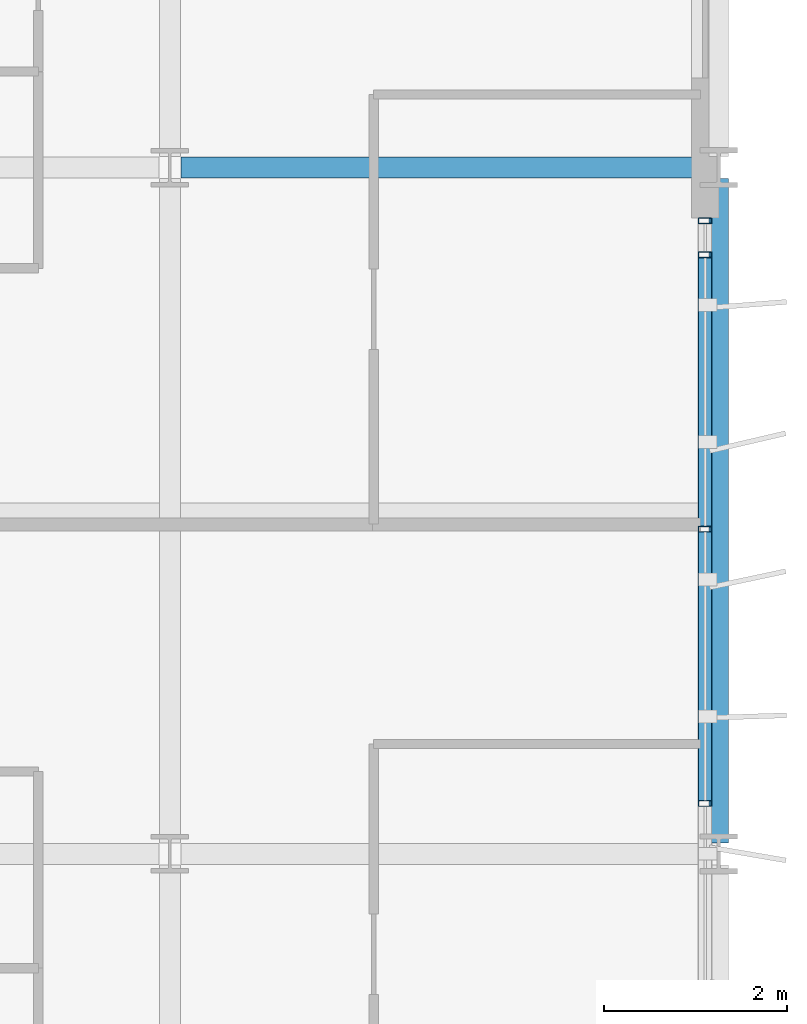
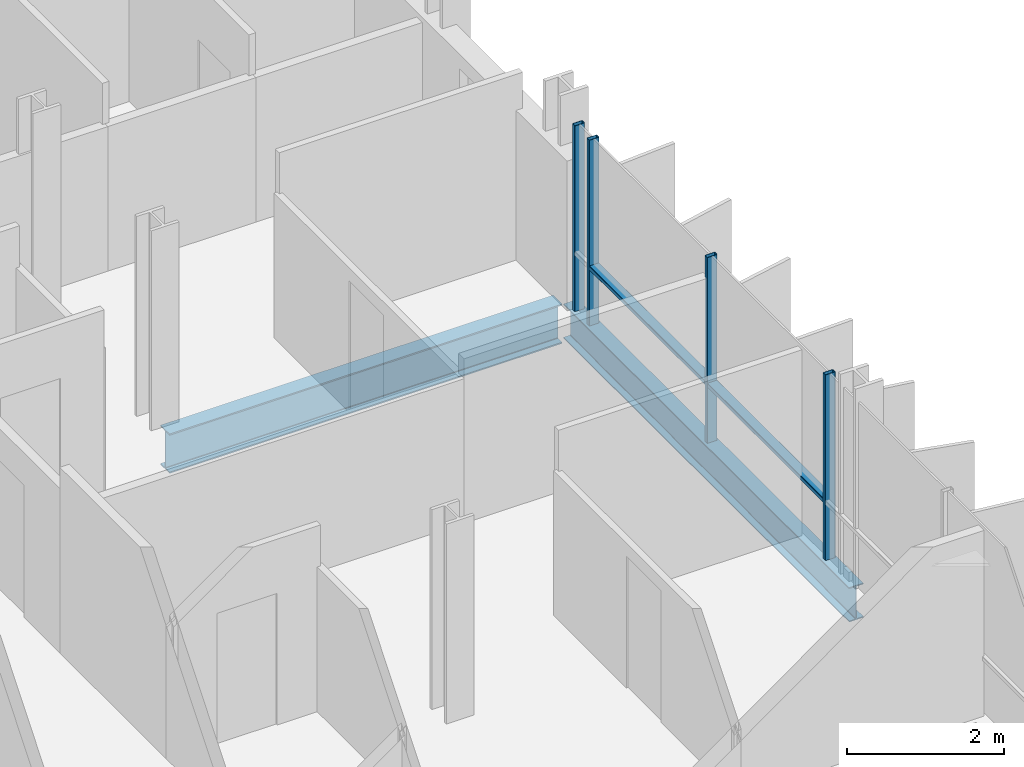
# One storey, part 19 of 39: 6 members, 2 beams, 1 element without a shape of its own.
"""IFC4 building model written with IfcOpenShell, lengths in metres."""

from ifc_helpers import new_model, si_unit, direction, frame, origin, origin_2d, place, context, subcontext, project, spatial, hollow_rectangle, i_section, extrude, material, layer, layer_set, material_profile, profile_set, type_object, element, aggregate, save


model = new_model("IFC4")

# Units and contexts
model_context = context("Model", 3, precision=1e-05, world=origin(), true_north=direction((0.0, 1.0)))
body_context = subcontext(model_context, "Body", "Model", "MODEL_VIEW")
ifc_project = project(units=[si_unit("LENGTHUNIT", "METRE"), si_unit("AREAUNIT", "SQUARE_METRE"), si_unit("VOLUMEUNIT", "CUBIC_METRE"), si_unit("PLANEANGLEUNIT", "RADIAN"), si_unit("MASSUNIT", "GRAM", prefix="KILO")], contexts=[model_context])

# Site, building, storey
site_placement = place(None, origin())
site = spatial("IfcSite", under=ifc_project, at=site_placement, CompositionType="ELEMENT")
building_placement = place(site_placement, origin())
building = spatial("IfcBuilding", under=site, at=building_placement, Name="Brevholm Reach", CompositionType="ELEMENT")
storey_placement = place(building_placement, frame((0.0, 0.0, 115.89990234375)))
storey = spatial("IfcBuildingStorey", under=building, at=storey_placement, Name="L34", CompositionType="ELEMENT", Elevation=115.89990234375)

# Beams
ifc_material_1 = material(Name="Structural Steel S355J2", Category="steel")
ifc_material_profile_1 = material_profile(ifc_material_1, i_section(OverallWidth=0.209228515625, OverallDepth=0.533203125, WebThickness=0.010009765625, FlangeThickness=0.015625, FilletRadius=0.0126953125, at=origin_2d()), Name="UKB 533x210x92")
ifc_profile_set_1 = profile_set([ifc_material_profile_1], Name="Structural Steel S355J2")
beam_type_1 = type_object("IfcBeamType", Name="BM-SP533", PredefinedType="SPANDREL", material=ifc_profile_set_1)
beam_1_placement = place(storey_placement, frame((60.0, 16.1201171875, -0.486572265625), z_axis=(0.0, 1.0, 0.0), x_axis=(-1.0, 0.0, 0.0)))
element("IfcBeam", 1, at=beam_1_placement, inside=storey, type_object=beam_type_1, Name="L34 SP-02 Framing Beam", PredefinedType="SPANDREL", context=body_context, shape_type="SweptSolid", body=[
    extrude(i_section(OverallWidth=0.209228515625, OverallDepth=0.533203125, WebThickness=0.010009765625, FlangeThickness=0.015625, FilletRadius=0.0126953125, at=origin_2d()), origin(), (0.0, 0.0, 1.0), 7.259765625),
])
ifc_material_2 = material(Name="Structural Steel S355J2", Category="steel")
ifc_material_profile_2 = material_profile(ifc_material_2, i_section(OverallWidth=0.22900390625, OverallDepth=0.6123046875, WebThickness=0.011962890625, FlangeThickness=0.01953125, FilletRadius=0.0126953125, at=origin_2d()), Name="UKB 610x229x125")
ifc_profile_set_2 = profile_set([ifc_material_profile_2], Name="Structural Steel S355J2")
beam_type_2 = type_object("IfcBeamType", Name="BM-SP610", PredefinedType="SPANDREL", material=ifc_profile_set_2)
beam_2_placement = place(storey_placement, frame((54.1201171875, 23.5, -0.526123046875), z_axis=(1.0, 0.0, 0.0), x_axis=(0.0, 1.0, 0.0)))
element("IfcBeam", 2, at=beam_2_placement, inside=storey, type_object=beam_type_2, Name="L34 SP-01 Framing Beam", PredefinedType="SPANDREL", context=body_context, shape_type="SweptSolid", body=[
    extrude(i_section(OverallWidth=0.22900390625, OverallDepth=0.6123046875, WebThickness=0.011962890625, FlangeThickness=0.01953125, FilletRadius=0.0126953125, at=origin_2d()), origin(), (0.0, 0.0, 1.0), 5.759765625),
])

# Curtain wall, members
ifc_material_3 = material(Name="Dark Anodised Aluminium 6063-T6 and Solar-Control Glass", Category="aluminium")
ifc_layer = layer(ifc_material_3, 0.14990234375)
ifc_layer_set = layer_set([ifc_layer], Name="Dark Anodised Aluminium 6063-T6 and Solar-Control Glass")
curtain_wall_type = type_object("IfcCurtainWallType", Name="CW-01", PredefinedType="NOTDEFINED", material=ifc_layer_set)
curtain_wall_placement = place(storey_placement, origin())
curtain_wall = element("IfcCurtainWall", 3, at=curtain_wall_placement, inside=storey, type_object=curtain_wall_type, Name="L34 Curtain Wall CW-01", PredefinedType="NOTDEFINED")
ifc_material_4 = material(Name="Dark Anodised Aluminium 6063-T6", Category="aluminium")
ifc_material_profile_3 = material_profile(ifc_material_4, hollow_rectangle(XDim=0.06494140625, YDim=0.14990234375, WallThickness=0.0048828125, InnerFilletRadius=0.0048828125, OuterFilletRadius=0.010009765625, at=origin_2d()), Name="RHS 150x65x5")
ifc_profile_set_3 = profile_set([ifc_material_profile_3], Name="Dark Anodised Aluminium 6063-T6")
member_type_1 = type_object("IfcMemberType", Name="CWM-150", PredefinedType="MULLION", material=ifc_profile_set_3)
member_1_placement = place(storey_placement, frame((59.85009765625, 16.550048828125, 0.0), z_axis=(0.0, 0.0, 1.0), x_axis=(0.0, 1.0, 0.0)))
member_1 = element("IfcMember", 4, at=member_1_placement, type_object=member_type_1, Name="CM-150 Mullion 3", PredefinedType="MULLION", context=body_context, shape_type="SweptSolid", body=[
    extrude(hollow_rectangle(XDim=0.06494140625, YDim=0.14990234375, WallThickness=0.0048828125, InnerFilletRadius=0.0048828125, OuterFilletRadius=0.010009765625, at=origin_2d()), origin(), (0.0, 0.0, 1.0), 2.880126953125),
])
member_2_placement = place(storey_placement, frame((59.85009765625, 19.550048828125, 0.0), z_axis=(0.0, 0.0, 1.0), x_axis=(0.0, 1.0, 0.0)))
member_2 = element("IfcMember", 5, at=member_2_placement, type_object=member_type_1, Name="CM-150 Mullion 4", PredefinedType="MULLION", context=body_context, shape_type="SweptSolid", body=[
    extrude(hollow_rectangle(XDim=0.06494140625, YDim=0.14990234375, WallThickness=0.0048828125, InnerFilletRadius=0.0048828125, OuterFilletRadius=0.010009765625, at=origin_2d()), origin(), (0.0, 0.0, 1.0), 2.880126953125),
])
member_3_placement = place(storey_placement, frame((59.85009765625, 22.550048828125, 0.0), z_axis=(0.0, 0.0, 1.0), x_axis=(0.0, 1.0, 0.0)))
member_3 = element("IfcMember", 6, at=member_3_placement, type_object=member_type_1, Name="CM-150 Mullion 5", PredefinedType="MULLION", context=body_context, shape_type="SweptSolid", body=[
    extrude(hollow_rectangle(XDim=0.06494140625, YDim=0.14990234375, WallThickness=0.0048828125, InnerFilletRadius=0.0048828125, OuterFilletRadius=0.010009765625, at=origin_2d()), origin(), (0.0, 0.0, 1.0), 2.880126953125),
])
member_4_placement = place(storey_placement, frame((59.85009765625, 22.91748046875, 0.0), z_axis=(0.0, 0.0, 1.0), x_axis=(0.0, 1.0, 0.0)))
member_4 = element("IfcMember", 7, at=member_4_placement, type_object=member_type_1, Name="CM-150 Mullion 6", PredefinedType="MULLION", context=body_context, shape_type="SweptSolid", body=[
    extrude(hollow_rectangle(XDim=0.06494140625, YDim=0.14990234375, WallThickness=0.0048828125, InnerFilletRadius=0.0048828125, OuterFilletRadius=0.010009765625, at=origin_2d()), origin(), (0.0, 0.0, 1.0), 2.880126953125),
])
ifc_material_5 = material(Name="Dark Anodised Aluminium 6063-T6", Category="aluminium")
ifc_material_profile_4 = material_profile(ifc_material_5, hollow_rectangle(XDim=0.06494140625, YDim=0.14990234375, WallThickness=0.0048828125, InnerFilletRadius=0.0048828125, OuterFilletRadius=0.010009765625, at=origin_2d()), Name="RHS 150x65x5")
ifc_profile_set_4 = profile_set([ifc_material_profile_4], Name="Dark Anodised Aluminium 6063-T6")
member_type_2 = type_object("IfcMemberType", Name="CWT-150", PredefinedType="NOTDEFINED", material=ifc_profile_set_4)
member_5_placement = place(storey_placement, frame((59.85009765625, 16.58251953125, 0.900146484375), z_axis=(0.0, 1.0, 0.0), x_axis=(0.0, 0.0, 1.0)))
member_5 = element("IfcMember", 8, at=member_5_placement, type_object=member_type_2, Name="CT-150 Transom 3.1", ObjectType="TRANSOM", PredefinedType="USERDEFINED", context=body_context, shape_type="SweptSolid", body=[
    extrude(hollow_rectangle(XDim=0.06494140625, YDim=0.14990234375, WallThickness=0.0048828125, InnerFilletRadius=0.0048828125, OuterFilletRadius=0.010009765625, at=origin_2d()), origin(), (0.0, 0.0, 1.0), 2.93505859375),
])
member_6_placement = place(storey_placement, frame((59.85009765625, 19.58251953125, 0.900146484375), z_axis=(0.0, 1.0, 0.0), x_axis=(0.0, 0.0, 1.0)))
member_6 = element("IfcMember", 9, at=member_6_placement, type_object=member_type_2, Name="CT-150 Transom 4.1", ObjectType="TRANSOM", PredefinedType="USERDEFINED", context=body_context, shape_type="SweptSolid", body=[
    extrude(hollow_rectangle(XDim=0.06494140625, YDim=0.14990234375, WallThickness=0.0048828125, InnerFilletRadius=0.0048828125, OuterFilletRadius=0.010009765625, at=origin_2d()), origin(), (0.0, 0.0, 1.0), 2.93505859375),
])
aggregate(curtain_wall, [member_1, member_2, member_3, member_4, member_5, member_6])

save(model, "model.ifc")
